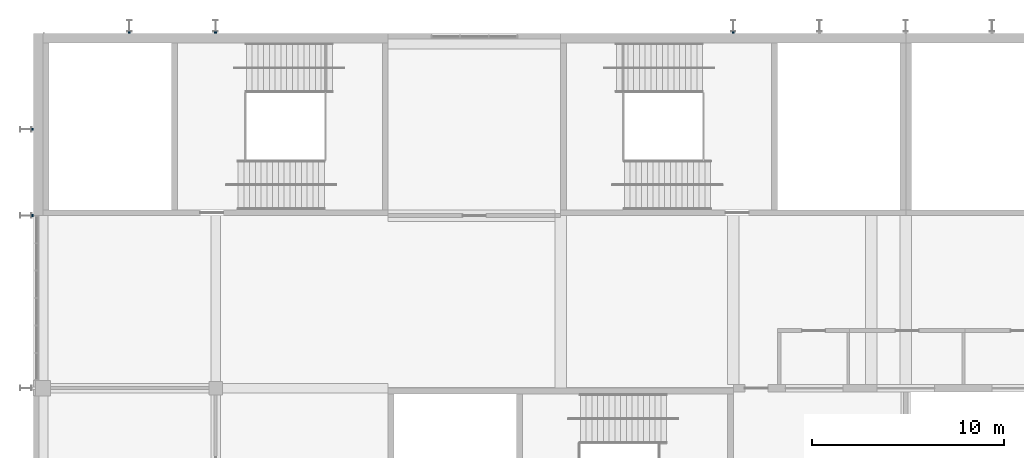
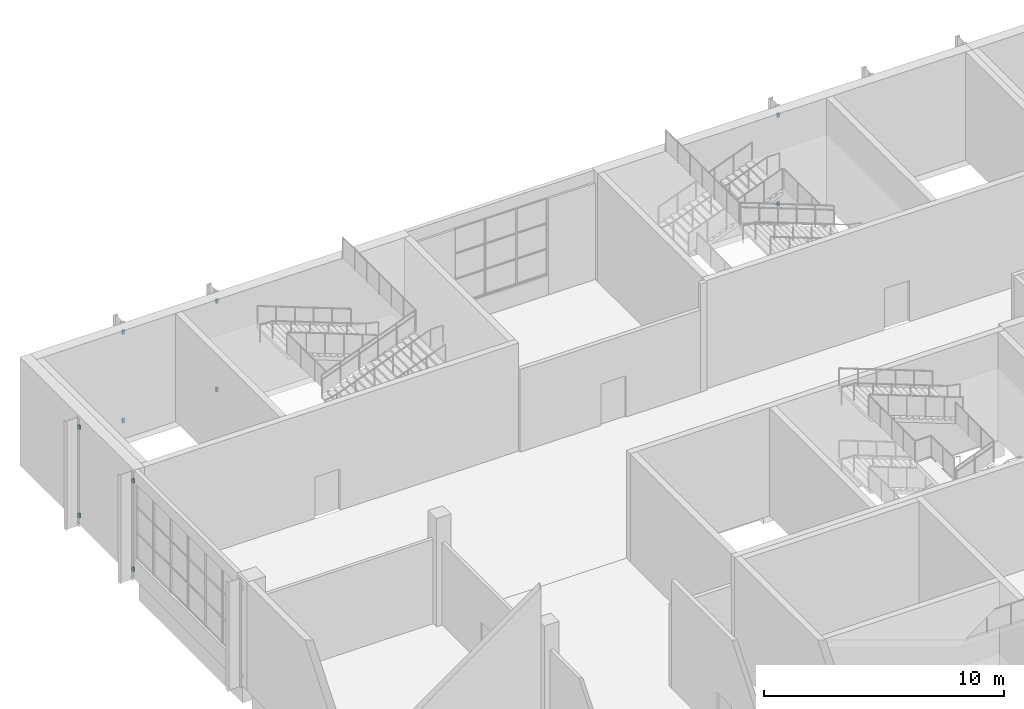
# One storey, part 53 of 84: 10 discrete accessories.
"""IFC4 building model written with IfcOpenShell, lengths in metres."""

from ifc_helpers import new_model, si_unit, direction, frame, origin, origin_2d, place, context, subcontext, project, spatial, rectangle, extrude, material, type_object, element, save


model = new_model("IFC4")

# Units and contexts
model_context = context("Model", 3, precision=1e-05, world=origin(), true_north=direction((0.0, 1.0)))
body_context = subcontext(model_context, "Body", "Model", "MODEL_VIEW")
ifc_project = project(units=[si_unit("LENGTHUNIT", "METRE"), si_unit("AREAUNIT", "SQUARE_METRE"), si_unit("VOLUMEUNIT", "CUBIC_METRE"), si_unit("PLANEANGLEUNIT", "RADIAN"), si_unit("MASSUNIT", "GRAM", prefix="KILO")], contexts=[model_context])

# Site, building, storey
site_placement = place(None, origin())
site = spatial("IfcSite", under=ifc_project, at=site_placement, CompositionType="ELEMENT")
building_placement = place(site_placement, origin())
building = spatial("IfcBuilding", under=site, at=building_placement, Name="Silverbay Arena", CompositionType="ELEMENT")
storey_placement = place(building_placement, frame((0.0, 0.0, 28.0)))
storey = spatial("IfcBuildingStorey", under=building, at=storey_placement, Name="L04", CompositionType="ELEMENT", Elevation=28.0)

# Discrete accessories
ifc_material = material(Name="Steel S355", Category="steel")
discrete_accessory_type = type_object("IfcDiscreteAccessoryType", Name="Steel bracket plate", PredefinedType="BRACKET", material=ifc_material)
for number, where, z_axis, x_axis, name in (
    (1, (58.5, 144.550048828125, 0.39990234375), (0.0, 0.0, 1.0), (1.0, 0.0, 0.0), "Fin bracket"),
    (2, (58.5, 144.550048828125, 4.89990234375), (0.0, 0.0, 1.0), (1.0, 0.0, 0.0), "Fin bracket"),
    (3, (63.0, 144.550048828125, 0.39990234375), (0.0, 0.0, 1.0), (1.0, 0.0, 0.0), "Fin bracket"),
    (4, (63.0, 144.550048828125, 4.89990234375), (0.0, 0.0, 1.0), (1.0, 0.0, 0.0), "Fin bracket"),
    (5, (90.0, 144.550048828125, 0.39990234375), (0.0, 0.0, 1.0), (1.0, 0.0, 0.0), "Fin bracket"),
    (6, (90.0, 144.550048828125, 4.89990234375), (0.0, 0.0, 1.0), (1.0, 0.0, 0.0), "Fin bracket"),
):
    element("IfcDiscreteAccessory", number, at=place(storey_placement, frame(where, z_axis=z_axis, x_axis=x_axis)), inside=storey, type_object=discrete_accessory_type, Name=name, PredefinedType="BRACKET", context=body_context, shape_type="SweptSolid", body=[
        extrude(rectangle(XDim=0.1201171875, YDim=0.10009765625, at=origin_2d()), origin(), (0.0, 0.0, 1.0), 0.199951171875),
    ])
for number, where, z_axis, x_axis, name in (
    (7, (53.449951171875, 135.0, 0.39990234375), (0.0, 0.0, 1.0), (1.0, 0.0, 0.0), "Fin bracket"),
    (8, (53.449951171875, 135.0, 4.89990234375), (0.0, 0.0, 1.0), (1.0, 0.0, 0.0), "Fin bracket"),
    (9, (53.449951171875, 139.5, 0.39990234375), (0.0, 0.0, 1.0), (1.0, 0.0, 0.0), "Fin bracket"),
    (10, (53.449951171875, 139.5, 4.89990234375), (0.0, 0.0, 1.0), (1.0, 0.0, 0.0), "Fin bracket"),
):
    element("IfcDiscreteAccessory", number, at=place(storey_placement, frame(where, z_axis=z_axis, x_axis=x_axis)), inside=storey, type_object=discrete_accessory_type, Name=name, PredefinedType="BRACKET", context=body_context, shape_type="SweptSolid", body=[
        extrude(rectangle(XDim=0.10009765625, YDim=0.1201171875, at=origin_2d()), origin(), (0.0, 0.0, 1.0), 0.199951171875),
    ])

save(model, "model.ifc")
